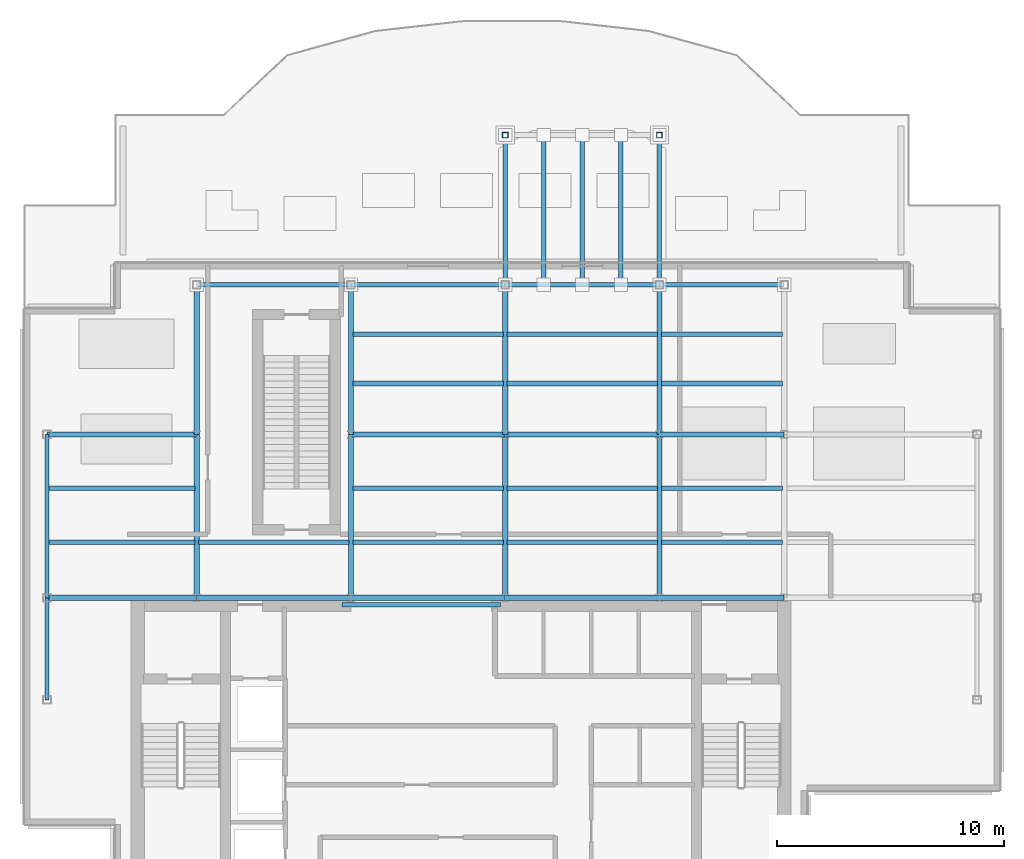
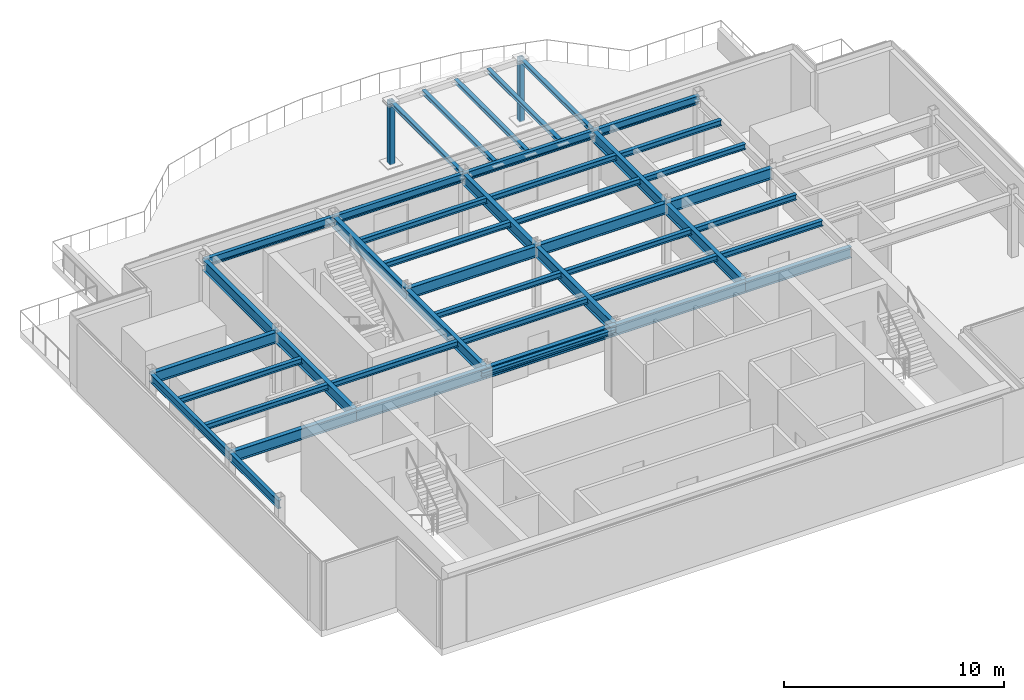
# One storey, part 2 of 9: 39 beams, 9 members, 2 columns.
"""IFC4 building model written with IfcOpenShell, lengths in metres."""

import ifcopenshell
import ifcopenshell.guid

model = None  # the IFC model being written
_history = None  # IfcOwnerHistory: only IFC2X3 demands one
_inside = {}  # id of a spatial element -> (the spatial element, [elements in it])
_under = {}  # id of a project, library or spatial element -> (it, [spatial elements below it])
_declared = {}  # id of a project -> (the project, [libraries it declares])
_typed = {}  # id of a type object -> (the type object, [elements of that type])
_made_of = {}  # id of a material, layer set ... -> (it, [elements and type objects made of it])


def new_model(schema):
    """Start an empty IFC model of exactly this schema.

    Asked for "IFC4X3", IfcOpenShell would pick the latest addendum, in which some entities
    have other attributes; the version numbers below select the first issue.
    IFC2X3 requires an IfcOwnerHistory on every rooted entity: one is made here for all.
    """
    global model, _history
    if schema == "IFC4X3":
        model = ifcopenshell.file(schema_version=(4, 3, 0, 0))
    else:
        model = ifcopenshell.file(schema=schema)
    _inside.clear()
    _under.clear()
    _declared.clear()
    _typed.clear()
    _made_of.clear()
    _history = None
    if model.schema == "IFC2X3":
        org = make("IfcOrganization", Name="unknown")
        user = make(
            "IfcPersonAndOrganization",
            ThePerson=make("IfcPerson", FamilyName="unknown"),
            TheOrganization=org,
        )
        app = make(
            "IfcApplication",
            ApplicationDeveloper=org,
            Version="unknown",
            ApplicationFullName="unknown",
            ApplicationIdentifier="unknown",
        )
        _history = make(
            "IfcOwnerHistory",
            OwningUser=user,
            OwningApplication=app,
            ChangeAction="ADDED",
            CreationDate=0,
        )
    return model


def make(cls, **values):
    """One entity of the class cls with the attributes given. An attribute that is None is left unset."""
    return model.create_entity(
        cls, **{name: value for name, value in values.items() if value is not None}
    )


def rooted(cls, **values):
    """An entity with a GlobalId (a new one), such as an element, a storey or a relation."""
    return make(cls, GlobalId=ifcopenshell.guid.new(), OwnerHistory=_history, **values)


def si_unit(unit_type, name, prefix=None):
    """IfcSIUnit, for example si_unit("LENGTHUNIT", "METRE", prefix="MILLI")."""
    return make("IfcSIUnit", UnitType=unit_type, Prefix=prefix, Name=name)


def derived_unit(unit_type, elements):
    """IfcDerivedUnit: a product of units, each with its exponent."""
    return make(
        "IfcDerivedUnit",
        Elements=[
            make("IfcDerivedUnitElement", Unit=unit, Exponent=power)
            for unit, power in elements
        ],
        UnitType=unit_type,
    )


def assignment(units):
    """IfcUnitAssignment: the units of a project."""
    return None if units is None else make("IfcUnitAssignment", Units=units)


def point(xyz):
    """IfcCartesianPoint."""
    return None if xyz is None else make("IfcCartesianPoint", Coordinates=xyz)


def direction(xyz):
    """IfcDirection."""
    return None if xyz is None else make("IfcDirection", DirectionRatios=xyz)


def frame(location, z_axis=None, x_axis=None):
    """IfcAxis2Placement3D, a coordinate frame: its origin and axes. An axis left out is left unset."""
    return make(
        "IfcAxis2Placement3D",
        Location=point(location),
        Axis=direction(z_axis),
        RefDirection=direction(x_axis),
    )


def frame_2d(location, x_axis=None):
    """IfcAxis2Placement2D, a coordinate frame in the plane: its origin and x axis."""
    return make(
        "IfcAxis2Placement2D", Location=point(location), RefDirection=direction(x_axis)
    )


def origin():
    """The frame at (0, 0, 0) with its axes left unset."""
    return frame((0.0, 0.0, 0.0))


def origin_2d():
    """The frame at (0, 0) in the plane with its x axis left unset."""
    return frame_2d((0.0, 0.0))


def place(relative_to, where):
    """IfcLocalPlacement: puts the frame where relative to a parent placement (None: the world)."""
    return make(
        "IfcLocalPlacement", PlacementRelTo=relative_to, RelativePlacement=where
    )


def context(
    kind, dimensions, precision=None, world=None, true_north=None, identifier=None
):
    """IfcGeometricRepresentationContext, for example the 3D "Model" context."""
    return make(
        "IfcGeometricRepresentationContext",
        ContextIdentifier=identifier,
        ContextType=kind,
        CoordinateSpaceDimension=dimensions,
        Precision=precision,
        WorldCoordinateSystem=world,
        TrueNorth=true_north,
    )


def subcontext(parent, identifier, kind, view, scale=None):
    """IfcGeometricRepresentationSubContext, for example "Body" below "Model"."""
    return make(
        "IfcGeometricRepresentationSubContext",
        ContextIdentifier=identifier,
        ContextType=kind,
        ParentContext=parent,
        TargetScale=scale,
        TargetView=view,
    )


def project(units=None, contexts=None):
    """IfcProject with its units and contexts."""
    return rooted(
        "IfcProject",
        Name="project",
        RepresentationContexts=contexts,
        UnitsInContext=assignment(units),
    )


def spatial(cls, under=None, at=None, **own):
    """A site, building, storey or space (cls), placed at a placement, below another one or the project."""
    s = rooted(cls, ObjectPlacement=at, **own)
    if under is not None:
        _under.setdefault(under.id(), (under, []))[1].append(s)
    return s


def profile(cls, at=None, kind="AREA", **sizes):
    """A parametric profile (cls). Its sizes go by their IFC names, for example OverallWidth=200.0."""
    return make(cls, ProfileType=kind, Position=at, **sizes)


def hollow_rectangle(**sizes):
    """IfcRectangleHollowProfileDef."""
    return profile("IfcRectangleHollowProfileDef", **sizes)


def i_section(**sizes):
    """IfcIShapeProfileDef."""
    return profile("IfcIShapeProfileDef", **sizes)


def extrude(swept, where, along, depth):
    """IfcExtrudedAreaSolid: the profile swept, set in the frame where, extruded along a direction by depth."""
    return make(
        "IfcExtrudedAreaSolid",
        SweptArea=swept,
        Position=where,
        ExtrudedDirection=direction(along),
        Depth=depth,
    )


def shape(context_of_items, identifier, shape_type, items):
    """IfcShapeRepresentation: the items that make up one representation, for example the "Body"."""
    return make(
        "IfcShapeRepresentation",
        ContextOfItems=context_of_items,
        RepresentationIdentifier=identifier,
        RepresentationType=shape_type,
        Items=items,
    )


def source(mapping_origin, context_of_items, identifier, shape_type, items):
    """IfcRepresentationMap: a shape defined once, which mapped items show again and again."""
    return make(
        "IfcRepresentationMap",
        MappingOrigin=mapping_origin,
        MappedRepresentation=shape(context_of_items, identifier, shape_type, items),
    )


def transform(
    local_origin,
    x_axis=None,
    y_axis=None,
    z_axis=None,
    scale=None,
    scale2=None,
    scale3=None,
    uniform=True,
):
    """IfcCartesianTransformationOperator3D, or its non-uniform kind. x_axis, y_axis, z_axis: its Axis1, 2, 3."""
    if uniform:
        return make(
            "IfcCartesianTransformationOperator3D",
            Axis1=direction(x_axis),
            Axis2=direction(y_axis),
            LocalOrigin=point(local_origin),
            Scale=scale,
            Axis3=direction(z_axis),
        )
    return make(
        "IfcCartesianTransformationOperator3DnonUniform",
        Axis1=direction(x_axis),
        Axis2=direction(y_axis),
        LocalOrigin=point(local_origin),
        Scale=scale,
        Axis3=direction(z_axis),
        Scale2=scale2,
        Scale3=scale3,
    )


def mapped(mapping_source, mapping_target):
    """IfcMappedItem: shows the shape of a source again, moved by a transform."""
    return make(
        "IfcMappedItem", MappingSource=mapping_source, MappingTarget=mapping_target
    )


def material(Name=None, Category=None):
    """IfcMaterial."""
    return make("IfcMaterial", Name=Name, Category=Category)


def material_profile(
    of_material, cross_section, Name=None, Category=None, Priority=None
):
    """IfcMaterialProfile: a cross section and its material."""
    return make(
        "IfcMaterialProfile",
        Name=Name,
        Material=of_material,
        Profile=cross_section,
        Priority=Priority,
        Category=Category,
    )


def profile_set(profiles, Name=None, composite=None):
    """IfcMaterialProfileSet."""
    return make(
        "IfcMaterialProfileSet",
        Name=Name,
        MaterialProfiles=profiles,
        CompositeProfile=composite,
    )


def made_of(thing, what):
    """Note that an element or type object is made of a material, layer set ...; save() writes the relation."""
    if what is not None:
        _made_of.setdefault(what.id(), (what, []))[1].append(thing)
    return thing


def type_object(cls, material=None, **own):
    """A type object (cls), such as IfcWallType, which elements share."""
    return made_of(rooted(cls, **own), material)


def element(
    cls,
    number,
    at=None,
    inside=None,
    cuts=None,
    type_object=None,
    material=None,
    context=None,
    identifier="Body",
    shape_type=None,
    held_by="IfcProductDefinitionShape",
    body=None,
    shapes=None,
    **own,
):
    """One element of the class cls, such as IfcWall. Its Tag is "e" and its number.

    at: its placement. inside: the storey or other place that contains it. cuts: it is an
    opening in that element (IfcRelVoidsElement). A single representation is given by context,
    identifier, shape_type and body (its items); several are given by shapes. held_by: the class
    of the entity that holds the representations. save() writes the other relations.
    """
    e = rooted(cls, Tag="e%d" % number, ObjectPlacement=at, **own)
    if body is not None:
        shapes = [shape(context, identifier, shape_type, body)]
    if shapes is not None:
        e.Representation = make(held_by, Representations=shapes)
    if inside is not None:
        _inside.setdefault(inside.id(), (inside, []))[1].append(e)
    if cuts is not None:
        rooted(
            "IfcRelVoidsElement", RelatingBuildingElement=cuts, RelatedOpeningElement=e
        )
    if type_object is not None:
        _typed.setdefault(type_object.id(), (type_object, []))[1].append(e)
    return made_of(e, material)


def aggregate(whole, parts):
    """IfcRelAggregates: a whole, such as a stair, and the parts it consists of."""
    return rooted("IfcRelAggregates", RelatingObject=whole, RelatedObjects=parts)


def save(model, path):
    """Write the relations noted so far, then the file.

    IfcRelAggregates (storeys below a building ...), IfcRelContainedInSpatialStructure (elements
    in a storey), IfcRelDefinesByType, IfcRelAssociatesMaterial and IfcRelDeclares: one each for
    every whole, place, type object, material and project.
    """
    for whole, parts in _under.values():
        aggregate(whole, parts)
    for where, things in _inside.values():
        rooted(
            "IfcRelContainedInSpatialStructure",
            RelatedElements=things,
            RelatingStructure=where,
        )
    for kind, things in _typed.values():
        rooted("IfcRelDefinesByType", RelatedObjects=things, RelatingType=kind)
    for what, things in _made_of.values():
        rooted("IfcRelAssociatesMaterial", RelatedObjects=things, RelatingMaterial=what)
    for by, libraries in _declared.values():
        rooted("IfcRelDeclares", RelatingContext=by, RelatedDefinitions=libraries)
    model.write(path)


model = new_model("IFC4")

# Units and contexts
model_context = context("Model", 3, precision=1e-05, world=origin(), true_north=direction((0.0, 1.0)))
body_context = subcontext(model_context, "Body", "Model", "MODEL_VIEW")
ifc_project = project(units=[si_unit("LENGTHUNIT", "METRE"), si_unit("AREAUNIT", "SQUARE_METRE"), si_unit("VOLUMEUNIT", "CUBIC_METRE"), si_unit("PLANEANGLEUNIT", "RADIAN"), si_unit("MASSUNIT", "GRAM", prefix="KILO"), derived_unit("THERMALTRANSMITTANCEUNIT", [(si_unit("POWERUNIT", "WATT"), 1), (si_unit("LENGTHUNIT", "METRE"), -2), (si_unit("THERMODYNAMICTEMPERATUREUNIT", "KELVIN"), -1)])], contexts=[model_context])

# Site, building, storey
site_placement = place(None, origin())
site = spatial("IfcSite", under=ifc_project, at=site_placement, CompositionType="ELEMENT")
building_placement = place(site_placement, origin())
building = spatial("IfcBuilding", under=site, at=building_placement, Name="Skarnbrae Concourse Arena and Tower", CompositionType="ELEMENT")
storey_placement = place(building_placement, frame((0.0, 0.0, 292.25)))
storey = spatial("IfcBuildingStorey", under=building, at=storey_placement, Name="L76", CompositionType="ELEMENT", Elevation=292.25)

# Columns
ifc_material = material(Name="Steel CSA G40.21 350W", Category="steel")
ifc_material_profile_1 = material_profile(ifc_material, hollow_rectangle(XDim=0.25390625, YDim=0.25390625, WallThickness=0.015869140625, at=origin_2d()), Name="HSS254X254X15.9")
ifc_profile_set_1 = profile_set([ifc_material_profile_1], Name="Steel CSA G40.21 350W")
column_type = type_object("IfcColumnType", Name="COL-CANOPY-HSS254", PredefinedType="COLUMN", material=ifc_profile_set_1)
shared_shape_1 = source(origin(), body_context, "Body", "SweptSolid", [
    extrude(hollow_rectangle(XDim=0.25390625, YDim=0.25390625, WallThickness=0.015869140625, at=origin_2d()), origin(), (0.0, 0.0, 1.0), 3.5),
])
for number, where, z_axis, x_axis, name in (
    (1, (21.199951171875, 34.39990234375, 0.0), (0.0, 0.0, 1.0), (1.0, 0.0, 0.0), "L76 Sky-garden canopy column 01"),
    (2, (28.0, 34.39990234375, 0.0), (0.0, 0.0, 1.0), (1.0, 0.0, 0.0), "L76 Sky-garden canopy column 02"),
):
    element("IfcColumn", number, at=place(storey_placement, frame(where, z_axis=z_axis, x_axis=x_axis)), inside=storey, type_object=column_type, Name=name, PredefinedType="COLUMN", context=body_context, shape_type="MappedRepresentation", body=[
        mapped(shared_shape_1, transform((0.0, 0.0, 0.0))),
    ])

# Beams
ifc_material_profile_2 = material_profile(ifc_material, i_section(OverallWidth=0.202880859375, OverallDepth=0.251953125, WebThickness=0.008056640625, FlangeThickness=0.013427734375, at=origin_2d()), Name="W250X58")
ifc_profile_set_2 = profile_set([ifc_material_profile_2], Name="Steel CSA G40.21 350W")
beam_type_1 = type_object("IfcBeamType", Name="BM-LINTEL-W250X58", PredefinedType="LINTEL", material=ifc_profile_set_2)
shared_shape_2 = source(origin(), body_context, "Body", "SweptSolid", [
    extrude(i_section(OverallWidth=0.202880859375, OverallDepth=0.251953125, WebThickness=0.008056640625, FlangeThickness=0.013427734375, at=origin_2d()), origin(), (0.0, 0.0, 1.0), 7.0),
])
beam_1_placement = place(storey_placement, frame((14.0, 13.699951171875, 3.3740234375), z_axis=(1.0, 0.0, 0.0), x_axis=(0.0, 1.0, 0.0)))
element("IfcBeam", 3, at=beam_1_placement, inside=storey, type_object=beam_type_1, Name="L76 Core portal coupling lintel", PredefinedType="LINTEL", context=body_context, shape_type="MappedRepresentation", body=[
    mapped(shared_shape_2, transform((0.0, 0.0, 0.0))),
])
ifc_material_profile_3 = material_profile(ifc_material, i_section(OverallWidth=0.22802734375, OverallDepth=0.60791015625, WebThickness=0.01123046875, FlangeThickness=0.017333984375, at=origin_2d()), Name="W610X113")
ifc_profile_set_3 = profile_set([ifc_material_profile_3], Name="Steel CSA G40.21 350W")
beam_type_2 = type_object("IfcBeamType", Name="BM-GIRD-W610X113", PredefinedType="BEAM", material=ifc_profile_set_3)
shared_shape_3 = source(origin(), body_context, "Body", "SweptSolid", [
    extrude(i_section(OverallWidth=0.22802734375, OverallDepth=0.60791015625, WebThickness=0.01123046875, FlangeThickness=0.017333984375, at=origin_2d()), origin(), (0.0, 0.0, 1.0), 6.60009765625),
])
for number, where, z_axis, x_axis, name in (
    (4, (1.0, 14.0, 3.196044921875), (1.0, 0.0, 0.0), (0.0, 1.0, 0.0), "L76 Primary E-W girder Y14.0-1"),
    (5, (1.0, 21.199951171875, 3.196044921875), (1.0, 0.0, 0.0), (0.0, 1.0, 0.0), "L76 Primary E-W girder Y21.2-1"),
    (6, (7.60009765625, 21.199951171875, 3.196044921875), (0.0, 1.0, 0.0), (-1.0, 0.0, 0.0), "L76 Primary N-S girder X7.6-2"),
    (7, (14.39990234375, 21.199951171875, 3.196044921875), (0.0, 1.0, 0.0), (-1.0, 0.0, 0.0), "L76 Primary N-S girder X14.4-2"),
    (8, (21.199951171875, 21.199951171875, 3.196044921875), (0.0, 1.0, 0.0), (-1.0, 0.0, 0.0), "L76 Primary N-S girder X21.2-2"),
    (9, (28.0, 21.199951171875, 3.196044921875), (0.0, 1.0, 0.0), (-1.0, 0.0, 0.0), "L76 Primary N-S girder X28.0-2"),
):
    element("IfcBeam", number, at=place(storey_placement, frame(where, z_axis=z_axis, x_axis=x_axis)), inside=storey, type_object=beam_type_2, Name=name, PredefinedType="BEAM", context=body_context, shape_type="MappedRepresentation", body=[
        mapped(shared_shape_3, transform((0.0, 0.0, 0.0))),
    ])
shared_shape_4 = source(origin(), body_context, "Body", "SweptSolid", [
    extrude(i_section(OverallWidth=0.22802734375, OverallDepth=0.60791015625, WebThickness=0.01123046875, FlangeThickness=0.017333984375, at=origin_2d()), origin(), (0.0, 0.0, 1.0), 6.7998046875),
])
beam_2_placement = place(storey_placement, frame((7.60009765625, 14.0, 3.196044921875), z_axis=(1.0, 0.0, 0.0), x_axis=(0.0, 1.0, 0.0)))
element("IfcBeam", 10, at=beam_2_placement, inside=storey, type_object=beam_type_2, Name="L76 Primary E-W girder Y14.0-2", PredefinedType="BEAM", context=body_context, shape_type="MappedRepresentation", body=[
    mapped(shared_shape_4, transform((0.0, 0.0, 0.0))),
])
shared_shape_5 = source(origin(), body_context, "Body", "SweptSolid", [
    extrude(i_section(OverallWidth=0.22802734375, OverallDepth=0.60791015625, WebThickness=0.01123046875, FlangeThickness=0.017333984375, at=origin_2d()), origin(), (0.0, 0.0, 1.0), 6.800048828125),
])
for number, where, z_axis, x_axis, name in (
    (11, (14.39990234375, 14.0, 3.196044921875), (1.0, 0.0, 0.0), (0.0, 1.0, 0.0), "L76 Primary E-W girder Y14.0-3"),
    (12, (21.199951171875, 14.0, 3.196044921875), (1.0, 0.0, 0.0), (0.0, 1.0, 0.0), "L76 Primary E-W girder Y14.0-4"),
    (13, (14.39990234375, 21.199951171875, 3.196044921875), (1.0, 0.0, 0.0), (0.0, 1.0, 0.0), "L76 Primary E-W girder Y21.2-3"),
    (14, (21.199951171875, 21.199951171875, 3.196044921875), (1.0, 0.0, 0.0), (0.0, 1.0, 0.0), "L76 Primary E-W girder Y21.2-4"),
):
    element("IfcBeam", number, at=place(storey_placement, frame(where, z_axis=z_axis, x_axis=x_axis)), inside=storey, type_object=beam_type_2, Name=name, PredefinedType="BEAM", context=body_context, shape_type="MappedRepresentation", body=[
        mapped(shared_shape_5, transform((0.0, 0.0, 0.0))),
    ])
shared_shape_6 = source(origin(), body_context, "Body", "SweptSolid", [
    extrude(i_section(OverallWidth=0.22802734375, OverallDepth=0.60791015625, WebThickness=0.01123046875, FlangeThickness=0.017333984375, at=origin_2d()), origin(), (0.0, 0.0, 1.0), 5.5),
])
for number, where, z_axis, x_axis, name in (
    (15, (28.0, 14.0, 3.196044921875), (1.0, 0.0, 0.0), (0.0, 1.0, 0.0), "L76 Primary E-W girder Y14.0-5"),
    (16, (28.0, 21.199951171875, 3.196044921875), (1.0, 0.0, 0.0), (0.0, 1.0, 0.0), "L76 Primary E-W girder Y21.2-5"),
):
    element("IfcBeam", number, at=place(storey_placement, frame(where, z_axis=z_axis, x_axis=x_axis)), inside=storey, type_object=beam_type_2, Name=name, PredefinedType="BEAM", context=body_context, shape_type="MappedRepresentation", body=[
        mapped(shared_shape_6, transform((0.0, 0.0, 0.0))),
    ])
ifc_material_profile_4 = material_profile(ifc_material, i_section(OverallWidth=0.19091796875, OverallDepth=0.4599609375, WebThickness=0.010009765625, FlangeThickness=0.01611328125, at=origin_2d()), Name="W460X82")
ifc_profile_set_4 = profile_set([ifc_material_profile_4], Name="Steel CSA G40.21 350W")
beam_type_3 = type_object("IfcBeamType", Name="BM-SPAN-W460X82", PredefinedType="SPANDREL", material=ifc_profile_set_4)
shared_shape_7 = source(origin(), body_context, "Body", "SweptSolid", [
    extrude(i_section(OverallWidth=0.19091796875, OverallDepth=0.4599609375, WebThickness=0.010009765625, FlangeThickness=0.01611328125, at=origin_2d()), origin(), (0.0, 0.0, 1.0), 6.7998046875),
])
beam_3_placement = place(storey_placement, frame((7.60009765625, 27.800048828125, 3.27001953125), z_axis=(1.0, 0.0, 0.0), x_axis=(0.0, 1.0, 0.0)))
element("IfcBeam", 17, at=beam_3_placement, inside=storey, type_object=beam_type_3, Name="L76 Perimeter spandrel Y27.8-1", PredefinedType="SPANDREL", context=body_context, shape_type="MappedRepresentation", body=[
    mapped(shared_shape_7, transform((0.0, 0.0, 0.0))),
])
shared_shape_8 = source(origin(), body_context, "Body", "SweptSolid", [
    extrude(i_section(OverallWidth=0.19091796875, OverallDepth=0.4599609375, WebThickness=0.010009765625, FlangeThickness=0.01611328125, at=origin_2d()), origin(), (0.0, 0.0, 1.0), 6.800048828125),
])
for number, where, z_axis, x_axis, name in (
    (18, (14.39990234375, 27.800048828125, 3.27001953125), (1.0, 0.0, 0.0), (0.0, 1.0, 0.0), "L76 Perimeter spandrel Y27.8-2"),
    (19, (21.199951171875, 27.800048828125, 3.27001953125), (1.0, 0.0, 0.0), (0.0, 1.0, 0.0), "L76 Perimeter spandrel Y27.8-3"),
):
    element("IfcBeam", number, at=place(storey_placement, frame(where, z_axis=z_axis, x_axis=x_axis)), inside=storey, type_object=beam_type_3, Name=name, PredefinedType="SPANDREL", context=body_context, shape_type="MappedRepresentation", body=[
        mapped(shared_shape_8, transform((0.0, 0.0, 0.0))),
    ])
shared_shape_9 = source(origin(), body_context, "Body", "SweptSolid", [
    extrude(i_section(OverallWidth=0.19091796875, OverallDepth=0.4599609375, WebThickness=0.010009765625, FlangeThickness=0.01611328125, at=origin_2d()), origin(), (0.0, 0.0, 1.0), 5.5),
])
beam_4_placement = place(storey_placement, frame((28.0, 27.800048828125, 3.27001953125), z_axis=(1.0, 0.0, 0.0), x_axis=(0.0, 1.0, 0.0)))
element("IfcBeam", 20, at=beam_4_placement, inside=storey, type_object=beam_type_3, Name="L76 Perimeter spandrel Y27.8-4", PredefinedType="SPANDREL", context=body_context, shape_type="MappedRepresentation", body=[
    mapped(shared_shape_9, transform((0.0, 0.0, 0.0))),
])
shared_shape_10 = source(origin(), body_context, "Body", "SweptSolid", [
    extrude(i_section(OverallWidth=0.19091796875, OverallDepth=0.4599609375, WebThickness=0.010009765625, FlangeThickness=0.01611328125, at=origin_2d()), origin(), (0.0, 0.0, 1.0), 4.5),
])
beam_5_placement = place(storey_placement, frame((1.0, 9.5, 3.27001953125), z_axis=(0.0, 1.0, 0.0), x_axis=(-1.0, 0.0, 0.0)))
element("IfcBeam", 21, at=beam_5_placement, inside=storey, type_object=beam_type_3, Name="L76 Perimeter spandrel X1.0-1", PredefinedType="SPANDREL", context=body_context, shape_type="MappedRepresentation", body=[
    mapped(shared_shape_10, transform((0.0, 0.0, 0.0))),
])
shared_shape_11 = source(origin(), body_context, "Body", "SweptSolid", [
    extrude(i_section(OverallWidth=0.19091796875, OverallDepth=0.4599609375, WebThickness=0.010009765625, FlangeThickness=0.01611328125, at=origin_2d()), origin(), (0.0, 0.0, 1.0), 7.199951171875),
])
beam_6_placement = place(storey_placement, frame((1.0, 14.0, 3.27001953125), z_axis=(0.0, 1.0, 0.0), x_axis=(-1.0, 0.0, 0.0)))
element("IfcBeam", 22, at=beam_6_placement, inside=storey, type_object=beam_type_3, Name="L76 Perimeter spandrel X1.0-2", PredefinedType="SPANDREL", context=body_context, shape_type="MappedRepresentation", body=[
    mapped(shared_shape_11, transform((0.0, 0.0, 0.0))),
])
shared_shape_12 = source(origin(), body_context, "Body", "SweptSolid", [
    extrude(i_section(OverallWidth=0.22802734375, OverallDepth=0.60791015625, WebThickness=0.01123046875, FlangeThickness=0.017333984375, at=origin_2d()), origin(), (0.0, 0.0, 1.0), 7.199951171875),
])
for number, where, z_axis, x_axis, name in (
    (23, (7.60009765625, 14.0, 3.196044921875), (0.0, 1.0, 0.0), (-1.0, 0.0, 0.0), "L76 Primary N-S girder X7.6-1"),
    (24, (14.39990234375, 14.0, 3.196044921875), (0.0, 1.0, 0.0), (-1.0, 0.0, 0.0), "L76 Primary N-S girder X14.4-1"),
    (25, (21.199951171875, 14.0, 3.196044921875), (0.0, 1.0, 0.0), (-1.0, 0.0, 0.0), "L76 Primary N-S girder X21.2-1"),
    (26, (28.0, 14.0, 3.196044921875), (0.0, 1.0, 0.0), (-1.0, 0.0, 0.0), "L76 Primary N-S girder X28.0-1"),
):
    element("IfcBeam", number, at=place(storey_placement, frame(where, z_axis=z_axis, x_axis=x_axis)), inside=storey, type_object=beam_type_2, Name=name, PredefinedType="BEAM", context=body_context, shape_type="MappedRepresentation", body=[
        mapped(shared_shape_12, transform((0.0, 0.0, 0.0))),
    ])
ifc_material_profile_5 = material_profile(ifc_material, i_section(OverallWidth=0.202880859375, OverallDepth=0.302978515625, WebThickness=0.007568359375, FlangeThickness=0.01318359375, at=origin_2d()), Name="W310X60")
ifc_profile_set_5 = profile_set([ifc_material_profile_5], Name="Steel CSA G40.21 350W")
beam_type_4 = type_object("IfcBeamType", Name="BM-JOIST-W310X60", PredefinedType="JOIST", material=ifc_profile_set_5)
shared_shape_13 = source(origin(), body_context, "Body", "SweptSolid", [
    extrude(i_section(OverallWidth=0.202880859375, OverallDepth=0.302978515625, WebThickness=0.007568359375, FlangeThickness=0.01318359375, at=origin_2d()), origin(), (0.0, 0.0, 1.0), 6.43994140625),
])
for number, where, z_axis, x_axis, name in (
    (27, (1.080078125, 16.447998046875, 3.348388671875), (1.0, 0.0, 0.0), (0.0, 1.0, 0.0), "L76 Secondary floor joist 1.1.1"),
    (28, (1.080078125, 18.823974609375, 3.348388671875), (1.0, 0.0, 0.0), (0.0, 1.0, 0.0), "L76 Secondary floor joist 1.2.1"),
):
    element("IfcBeam", number, at=place(storey_placement, frame(where, z_axis=z_axis, x_axis=x_axis)), inside=storey, type_object=beam_type_4, Name=name, PredefinedType="JOIST", context=body_context, shape_type="MappedRepresentation", body=[
        mapped(shared_shape_13, transform((0.0, 0.0, 0.0))),
    ])
shared_shape_14 = source(origin(), body_context, "Body", "SweptSolid", [
    extrude(i_section(OverallWidth=0.202880859375, OverallDepth=0.302978515625, WebThickness=0.007568359375, FlangeThickness=0.01318359375, at=origin_2d()), origin(), (0.0, 0.0, 1.0), 6.64013671875),
])
for number, where, z_axis, x_axis, name in (
    (29, (7.679931640625, 16.447998046875, 3.348388671875), (1.0, 0.0, 0.0), (0.0, 1.0, 0.0), "L76 Secondary floor joist 1.1.2"),
    (30, (14.47998046875, 16.447998046875, 3.348388671875), (1.0, 0.0, 0.0), (0.0, 1.0, 0.0), "L76 Secondary floor joist 1.1.3"),
    (31, (14.47998046875, 18.823974609375, 3.348388671875), (1.0, 0.0, 0.0), (0.0, 1.0, 0.0), "L76 Secondary floor joist 1.2.3"),
    (32, (14.47998046875, 23.444091796875, 3.348388671875), (1.0, 0.0, 0.0), (0.0, 1.0, 0.0), "L76 Secondary floor joist 2.1.2"),
    (33, (14.47998046875, 25.6220703125, 3.348388671875), (1.0, 0.0, 0.0), (0.0, 1.0, 0.0), "L76 Secondary floor joist 2.2.2"),
):
    element("IfcBeam", number, at=place(storey_placement, frame(where, z_axis=z_axis, x_axis=x_axis)), inside=storey, type_object=beam_type_4, Name=name, PredefinedType="JOIST", context=body_context, shape_type="MappedRepresentation", body=[
        mapped(shared_shape_14, transform((0.0, 0.0, 0.0))),
    ])
shared_shape_15 = source(origin(), body_context, "Body", "SweptSolid", [
    extrude(i_section(OverallWidth=0.202880859375, OverallDepth=0.302978515625, WebThickness=0.007568359375, FlangeThickness=0.01318359375, at=origin_2d()), origin(), (0.0, 0.0, 1.0), 6.639892578125),
])
for number, where, z_axis, x_axis, name in (
    (34, (21.280029296875, 16.447998046875, 3.348388671875), (1.0, 0.0, 0.0), (0.0, 1.0, 0.0), "L76 Secondary floor joist 1.1.4"),
    (35, (21.280029296875, 18.823974609375, 3.348388671875), (1.0, 0.0, 0.0), (0.0, 1.0, 0.0), "L76 Secondary floor joist 1.2.4"),
    (36, (21.280029296875, 23.444091796875, 3.348388671875), (1.0, 0.0, 0.0), (0.0, 1.0, 0.0), "L76 Secondary floor joist 2.1.3"),
    (37, (21.280029296875, 25.6220703125, 3.348388671875), (1.0, 0.0, 0.0), (0.0, 1.0, 0.0), "L76 Secondary floor joist 2.2.3"),
):
    element("IfcBeam", number, at=place(storey_placement, frame(where, z_axis=z_axis, x_axis=x_axis)), inside=storey, type_object=beam_type_4, Name=name, PredefinedType="JOIST", context=body_context, shape_type="MappedRepresentation", body=[
        mapped(shared_shape_15, transform((0.0, 0.0, 0.0))),
    ])
shared_shape_16 = source(origin(), body_context, "Body", "SweptSolid", [
    extrude(i_section(OverallWidth=0.202880859375, OverallDepth=0.302978515625, WebThickness=0.007568359375, FlangeThickness=0.01318359375, at=origin_2d()), origin(), (0.0, 0.0, 1.0), 5.33984375),
])
for number, where, z_axis, x_axis, name in (
    (38, (28.080078125, 16.447998046875, 3.348388671875), (1.0, 0.0, 0.0), (0.0, 1.0, 0.0), "L76 Secondary floor joist 1.1.5"),
    (39, (28.080078125, 18.823974609375, 3.348388671875), (1.0, 0.0, 0.0), (0.0, 1.0, 0.0), "L76 Secondary floor joist 1.2.5"),
    (40, (28.080078125, 23.444091796875, 3.348388671875), (1.0, 0.0, 0.0), (0.0, 1.0, 0.0), "L76 Secondary floor joist 2.1.4"),
    (41, (28.080078125, 25.6220703125, 3.348388671875), (1.0, 0.0, 0.0), (0.0, 1.0, 0.0), "L76 Secondary floor joist 2.2.4"),
):
    element("IfcBeam", number, at=place(storey_placement, frame(where, z_axis=z_axis, x_axis=x_axis)), inside=storey, type_object=beam_type_4, Name=name, PredefinedType="JOIST", context=body_context, shape_type="MappedRepresentation", body=[
        mapped(shared_shape_16, transform((0.0, 0.0, 0.0))),
    ])

# Members
ifc_material_profile_6 = material_profile(ifc_material, hollow_rectangle(XDim=0.203125, YDim=0.3046875, WallThickness=0.0126953125, at=origin_2d()), Name="HSS305X203X12.7")
ifc_profile_set_6 = profile_set([ifc_material_profile_6], Name="Steel CSA G40.21 350W")
member_type_1 = type_object("IfcMemberType", Name="MEM-PURLIN-HSS305X203", PredefinedType="PURLIN", material=ifc_profile_set_6)
shared_shape_17 = source(origin(), body_context, "Body", "SweptSolid", [
    extrude(hollow_rectangle(XDim=0.203125, YDim=0.3046875, WallThickness=0.0126953125, at=origin_2d()), origin(), (0.0, 0.0, 1.0), 6.800048828125),
])
for number, where, z_axis, x_axis, name in (
    (42, (14.39990234375, 27.800048828125, 3.34765625), (1.0, 0.0, 0.0), (0.0, 1.0, 0.0), "L76 Sky-garden canopy rear ring purlin 02"),
    (43, (21.199951171875, 27.800048828125, 3.34765625), (1.0, 0.0, 0.0), (0.0, 1.0, 0.0), "L76 Sky-garden canopy rear ring purlin 03"),
):
    element("IfcMember", number, at=place(storey_placement, frame(where, z_axis=z_axis, x_axis=x_axis)), inside=storey, type_object=member_type_1, Name=name, PredefinedType="PURLIN", context=body_context, shape_type="MappedRepresentation", body=[
        mapped(shared_shape_17, transform((0.0, 0.0, 0.0))),
    ])
shared_shape_18 = source(origin(), body_context, "Body", "SweptSolid", [
    extrude(hollow_rectangle(XDim=0.203125, YDim=0.3046875, WallThickness=0.0126953125, at=origin_2d()), origin(), (0.0, 0.0, 1.0), 6.7998046875),
])
member_1_placement = place(storey_placement, frame((7.60009765625, 27.800048828125, 3.34765625), z_axis=(1.0, 0.0, 0.0), x_axis=(0.0, 1.0, 0.0)))
element("IfcMember", 44, at=member_1_placement, inside=storey, type_object=member_type_1, Name="L76 Sky-garden canopy rear ring purlin 01", PredefinedType="PURLIN", context=body_context, shape_type="MappedRepresentation", body=[
    mapped(shared_shape_18, transform((0.0, 0.0, 0.0))),
])
shared_shape_19 = source(origin(), body_context, "Body", "SweptSolid", [
    extrude(hollow_rectangle(XDim=0.203125, YDim=0.3046875, WallThickness=0.0126953125, at=origin_2d()), origin(), (0.0, 0.0, 1.0), 5.5),
])
member_2_placement = place(storey_placement, frame((28.0, 27.800048828125, 3.34765625), z_axis=(1.0, 0.0, 0.0), x_axis=(0.0, 1.0, 0.0)))
element("IfcMember", 45, at=member_2_placement, inside=storey, type_object=member_type_1, Name="L76 Sky-garden canopy rear ring purlin 04", PredefinedType="PURLIN", context=body_context, shape_type="MappedRepresentation", body=[
    mapped(shared_shape_19, transform((0.0, 0.0, 0.0))),
])
ifc_material_profile_7 = material_profile(ifc_material, i_section(OverallWidth=0.202880859375, OverallDepth=0.202880859375, WebThickness=0.007080078125, FlangeThickness=0.010986328125, at=origin_2d()), Name="W200X46")
ifc_profile_set_7 = profile_set([ifc_material_profile_7], Name="Steel CSA G40.21 350W")
member_type_2 = type_object("IfcMemberType", Name="MEM-CANOPY-PURLIN-W200X46", PredefinedType="PURLIN", material=ifc_profile_set_7)
shared_shape_20 = source(origin(), body_context, "Body", "SweptSolid", [
    extrude(i_section(OverallWidth=0.202880859375, OverallDepth=0.202880859375, WebThickness=0.007080078125, FlangeThickness=0.010986328125, at=origin_2d()), origin(), (0.0, 0.0, 1.0), 6.599853515625),
])
for number, where, z_axis, x_axis, name in (
    (46, (21.199951171875, 27.800048828125, 3.3984375), (0.0, 1.0, 0.0), (-1.0, 0.0, 0.0), "L76 Sky-garden canopy radial purlin 01"),
    (47, (22.89990234375, 27.800048828125, 3.3984375), (0.0, 1.0, 0.0), (-1.0, 0.0, 0.0), "L76 Sky-garden canopy radial purlin 02"),
    (48, (24.60009765625, 27.800048828125, 3.3984375), (0.0, 1.0, 0.0), (-1.0, 0.0, 0.0), "L76 Sky-garden canopy radial purlin 03"),
    (49, (26.300048828125, 27.800048828125, 3.3984375), (0.0, 1.0, 0.0), (-1.0, 0.0, 0.0), "L76 Sky-garden canopy radial purlin 04"),
    (50, (28.0, 27.800048828125, 3.3984375), (0.0, 1.0, 0.0), (-1.0, 0.0, 0.0), "L76 Sky-garden canopy radial purlin 05"),
):
    element("IfcMember", number, at=place(storey_placement, frame(where, z_axis=z_axis, x_axis=x_axis)), inside=storey, type_object=member_type_2, Name=name, PredefinedType="PURLIN", context=body_context, shape_type="MappedRepresentation", body=[
        mapped(shared_shape_20, transform((0.0, 0.0, 0.0))),
    ])

save(model, "model.ifc")
